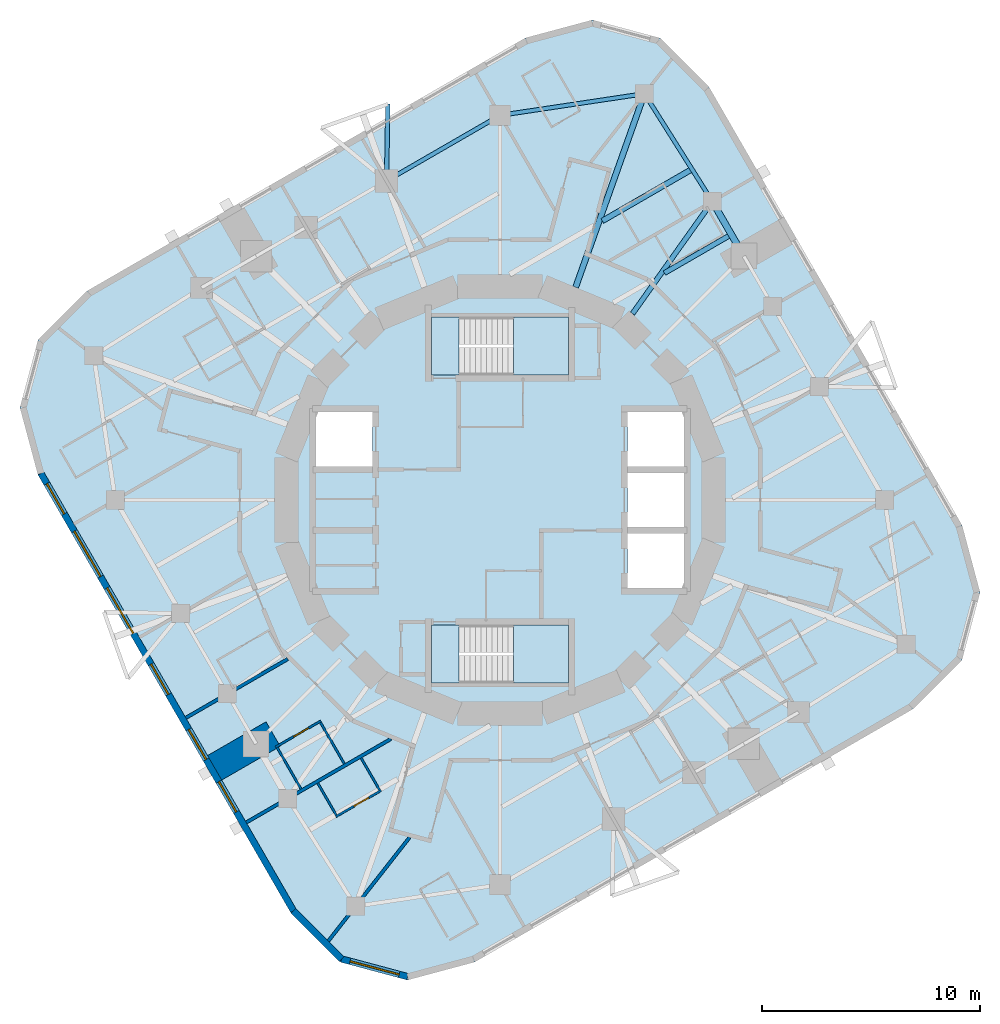
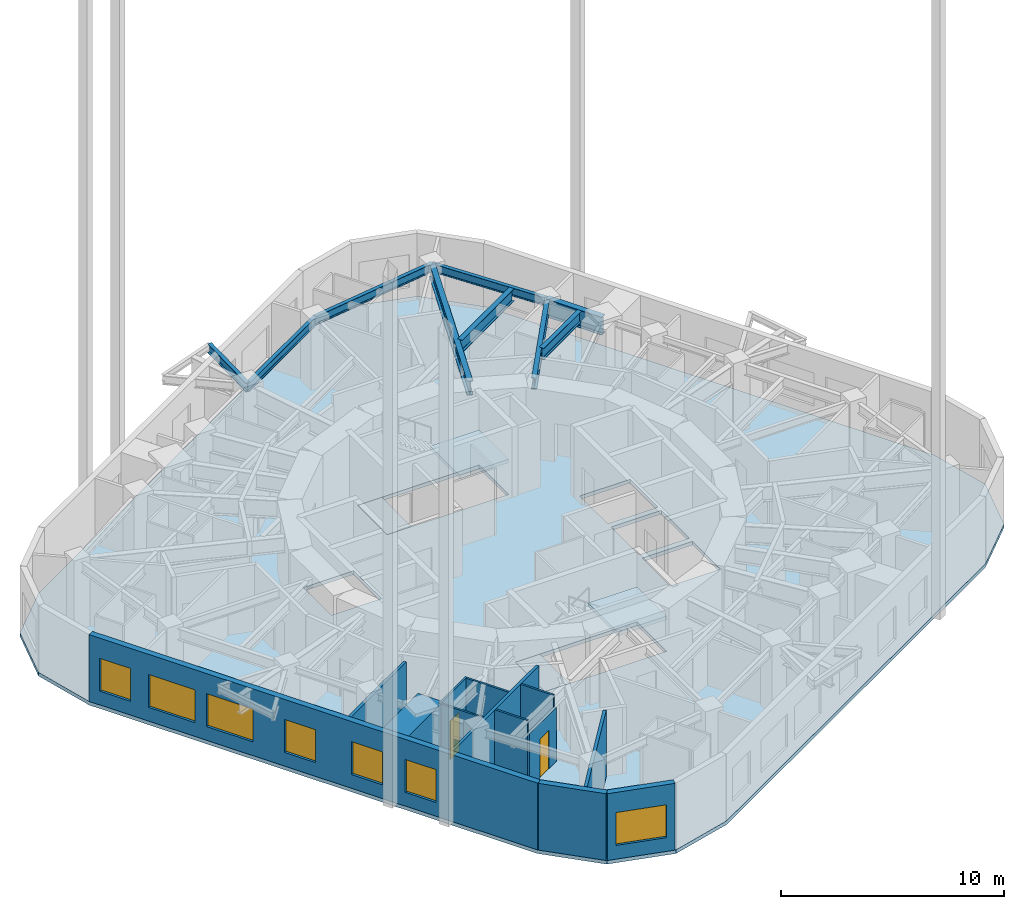
# One storey, part 3 of 10: 13 walls, 9 beams, 7 windows, 5 slabs, 2 doors, 9 openings, 2 elements without a shape of their own.
"""IFC4 building model written with IfcOpenShell, lengths in metres."""

from ifc_helpers import new_model, si_unit, direction, frame, frame_2d, origin, origin_2d, place, context, subcontext, project, spatial, polyline, rectangle, i_section, outline, extrude, material, layer, layer_set, material_profile, profile_set, type_object, element, fill, aggregate, save


model = new_model("IFC4")

# Units and contexts
model_context = context("Model", 3, precision=1e-05, world=origin(), true_north=direction((0.0, 1.0)))
body_context = subcontext(model_context, "Body", "Model", "MODEL_VIEW")
ifc_project = project(units=[si_unit("LENGTHUNIT", "METRE"), si_unit("AREAUNIT", "SQUARE_METRE"), si_unit("VOLUMEUNIT", "CUBIC_METRE"), si_unit("PLANEANGLEUNIT", "RADIAN"), si_unit("MASSUNIT", "GRAM", prefix="KILO")], contexts=[model_context])

# Site, building, storey
site_placement = place(None, origin())
site = spatial("IfcSite", under=ifc_project, at=site_placement, CompositionType="ELEMENT")
building_placement = place(site_placement, origin())
building = spatial("IfcBuilding", under=site, at=building_placement, Name="Nakasero Lantern House", CompositionType="ELEMENT")
storey_placement = place(building_placement, frame((0.0, 0.0, 223.10009765625)))
storey = spatial("IfcBuildingStorey", under=building, at=storey_placement, Name="L54", CompositionType="ELEMENT", Elevation=223.10009765625)

# Beams
ifc_material_1 = material(Name="Steel S355", Category="steel")
ifc_material_profile_1 = material_profile(ifc_material_1, i_section(OverallWidth=0.199462890625, OverallDepth=0.491943359375, WebThickness=0.01806640625, FlangeThickness=0.031982421875, FilletRadius=0.01025390625, at=origin_2d()), Name="UB 457x191x161")
ifc_profile_set_1 = profile_set([ifc_material_profile_1], Name="Steel S355")
beam_type_1 = type_object("IfcBeamType", Name="Balcony splay beam UB 457x191x161", PredefinedType="BEAM", material=ifc_profile_set_1)
beam_1_placement = place(storey_placement, frame((-5.211669921875, 14.657958984375, 3.40380859375), z_axis=(0.016835196893, 0.99985827803, 0.0), x_axis=(-0.99985827803, 0.016835196893, 0.0)))
element("IfcBeam", 1, at=beam_1_placement, inside=storey, type_object=beam_type_1, Name="Balcony splay beam L55 B6-C10B", PredefinedType="BEAM", context=body_context, shape_type="SweptSolid", body=[
    extrude(i_section(OverallWidth=0.199462890625, OverallDepth=0.491943359375, WebThickness=0.01806640625, FlangeThickness=0.031982421875, FilletRadius=0.01025390625, at=origin_2d()), origin(), (0.0, 0.0, 1.0), 3.52392578125),
])
ifc_material_2 = material(Name="Steel S355", Category="steel")
ifc_material_profile_2 = material_profile(ifc_material_2, i_section(OverallWidth=0.22900390625, OverallDepth=0.6123046875, WebThickness=0.011962890625, FlangeThickness=0.01953125, FilletRadius=0.0126953125, at=origin_2d()), Name="UB 610x229x125")
ifc_profile_set_2 = profile_set([ifc_material_profile_2], Name="Steel S355")
beam_type_2 = type_object("IfcBeamType", Name="Infill beam UB 610x229x125", PredefinedType="JOIST", material=ifc_profile_set_2)
beam_2_placement = place(storey_placement, frame((7.552001953125, 10.42236328125, 3.34375), z_axis=(0.866042039906, 0.499971184285, 0.0), x_axis=(-0.499971184285, 0.866042039906, 0.0)))
element("IfcBeam", 2, at=beam_2_placement, inside=storey, type_object=beam_type_2, Name="Infill beam L55 08.3", PredefinedType="JOIST", context=body_context, shape_type="SweptSolid", body=[
    extrude(i_section(OverallWidth=0.22900390625, OverallDepth=0.6123046875, WebThickness=0.011962890625, FlangeThickness=0.01953125, FilletRadius=0.0126953125, at=origin_2d()), origin(), (0.0, 0.0, 1.0), 3.398681640625),
])
ifc_material_3 = material(Name="Steel S355", Category="steel")
ifc_material_profile_3 = material_profile(ifc_material_3, i_section(OverallWidth=0.253662109375, OverallDepth=0.68359375, WebThickness=0.012451171875, FlangeThickness=0.01904296875, FilletRadius=0.01513671875, at=origin_2d()), Name="UB 686x254x140")
ifc_profile_set_3 = profile_set([ifc_material_profile_3], Name="Steel S355")
beam_type_3 = type_object("IfcBeamType", Name="Infill beam UB 686x254x140", PredefinedType="JOIST", material=ifc_profile_set_3)
beam_3_placement = place(storey_placement, frame((4.698486328125, 12.816162109375, 3.30810546875), z_axis=(0.866023347809, 0.500003561037, 0.0), x_axis=(-0.500003561037, 0.866023347809, 0.0)))
element("IfcBeam", 3, at=beam_3_placement, inside=storey, type_object=beam_type_3, Name="Infill beam L55 09.3", PredefinedType="JOIST", context=body_context, shape_type="SweptSolid", body=[
    extrude(i_section(OverallWidth=0.253662109375, OverallDepth=0.68359375, WebThickness=0.012451171875, FlangeThickness=0.01904296875, FilletRadius=0.01513671875, at=origin_2d()), origin(), (0.0, 0.0, 1.0), 4.6611328125),
])
ifc_material_4 = material(Name="Steel S355", Category="steel")
ifc_material_profile_4 = material_profile(ifc_material_4, i_section(OverallWidth=0.22900390625, OverallDepth=0.6123046875, WebThickness=0.011962890625, FlangeThickness=0.01953125, FilletRadius=0.0126953125, at=origin_2d()), Name="UB 610x229x125")
ifc_profile_set_4 = profile_set([ifc_material_profile_4], Name="Steel S355")
beam_type_4 = type_object("IfcBeamType", Name="Primary beam UB 610x229x125, span 6 to 9 m", PredefinedType="BEAM", material=ifc_profile_set_4)
beam_4_placement = place(storey_placement, frame((9.75048828125, 13.711669921875, 3.34375), z_axis=(-0.579504973637, -0.814968702178, 0.0), x_axis=(0.814968702178, -0.579504973637, 0.0)))
element("IfcBeam", 4, at=beam_4_placement, inside=storey, type_object=beam_type_4, Name="Primary beam L55 B6-C07", PredefinedType="BEAM", context=body_context, shape_type="SweptSolid", body=[
    extrude(i_section(OverallWidth=0.22900390625, OverallDepth=0.6123046875, WebThickness=0.011962890625, FlangeThickness=0.01953125, FilletRadius=0.0126953125, at=origin_2d()), origin(), (0.0, 0.0, 1.0), 6.320556640625),
])
ifc_material_5 = material(Name="Steel S355", Category="steel")
ifc_material_profile_5 = material_profile(ifc_material_5, i_section(OverallWidth=0.2666015625, OverallDepth=0.76220703125, WebThickness=0.014404296875, FlangeThickness=0.021484375, FilletRadius=0.0166015625, at=origin_2d()), Name="UB 762x267x173")
ifc_profile_set_5 = profile_set([ifc_material_profile_5], Name="Steel S355")
beam_type_5 = type_object("IfcBeamType", Name="Primary beam UB 762x267x173, span 9 to 12 m", PredefinedType="BEAM", material=ifc_profile_set_5)
beam_5_placement = place(storey_placement, frame((6.63525390625, 18.661376953125, 3.268798828125), z_axis=(-0.335006604588, -0.942215779364, 0.0), x_axis=(0.942215779364, -0.335006604588, 0.0)))
element("IfcBeam", 5, at=beam_5_placement, inside=storey, type_object=beam_type_5, Name="Primary beam L55 B6-C08", PredefinedType="BEAM", context=body_context, shape_type="SweptSolid", body=[
    extrude(i_section(OverallWidth=0.2666015625, OverallDepth=0.76220703125, WebThickness=0.014404296875, FlangeThickness=0.021484375, FilletRadius=0.0166015625, at=origin_2d()), origin(), (0.0, 0.0, 1.0), 9.4345703125),
])
ifc_material_6 = material(Name="Steel S355", Category="steel")
ifc_material_profile_6 = material_profile(ifc_material_6, i_section(OverallWidth=0.300048828125, OverallDepth=0.97998046875, WebThickness=0.0166015625, FlangeThickness=0.02587890625, FilletRadius=0.030029296875, at=origin_2d()), Name="UB 1016x305x249")
ifc_profile_set_6 = profile_set([ifc_material_profile_6], Name="Steel S355")
beam_type_6 = type_object("IfcBeamType", Name="Ring beam UB 1016x305x249", PredefinedType="BEAM", material=ifc_profile_set_6)
beam_6_placement = place(storey_placement, frame((11.200439453125, 11.200439453125, 3.159912109375), z_axis=(-0.500023687443, 0.866011727401, 0.0), x_axis=(-0.866011727401, -0.500023687443, 0.0)))
element("IfcBeam", 6, at=beam_6_placement, inside=storey, type_object=beam_type_6, Name="Ring beam L55 B6-C06", PredefinedType="BEAM", context=body_context, shape_type="SweptSolid", body=[
    extrude(i_section(OverallWidth=0.300048828125, OverallDepth=0.97998046875, WebThickness=0.0166015625, FlangeThickness=0.02587890625, FilletRadius=0.030029296875, at=origin_2d()), origin(), (0.0, 0.0, 1.0), 2.899658203125),
])
ifc_material_7 = material(Name="Steel S355", Category="steel")
ifc_material_profile_7 = material_profile(ifc_material_7, i_section(OverallWidth=0.18994140625, OverallDepth=0.453369140625, WebThickness=0.008544921875, FlangeThickness=0.0126953125, FilletRadius=0.01025390625, at=origin_2d()), Name="UB 457x191x67")
ifc_profile_set_7 = profile_set([ifc_material_profile_7], Name="Steel S355")
beam_type_7 = type_object("IfcBeamType", Name="Ring beam UB 457x191x67", PredefinedType="BEAM", material=ifc_profile_set_7)
beam_7_placement = place(storey_placement, frame((9.75048828125, 13.711669921875, 3.423095703125), z_axis=(-0.532660471024, 0.846329027393, 0.0), x_axis=(-0.846329027393, -0.532660471024, 0.0)))
element("IfcBeam", 7, at=beam_7_placement, inside=storey, type_object=beam_type_7, Name="Ring beam L55 B6-C07", PredefinedType="BEAM", context=body_context, shape_type="SweptSolid", body=[
    extrude(i_section(OverallWidth=0.18994140625, OverallDepth=0.453369140625, WebThickness=0.008544921875, FlangeThickness=0.0126953125, FilletRadius=0.01025390625, at=origin_2d()), origin(), (0.0, 0.0, 1.0), 5.848388671875),
])
beam_8_placement = place(storey_placement, frame((0.0, 17.6669921875, 3.423095703125), z_axis=(-0.866020066889, -0.50000924366, 0.0), x_axis=(0.50000924366, -0.866020066889, 0.0)))
element("IfcBeam", 8, at=beam_8_placement, inside=storey, type_object=beam_type_7, Name="Ring beam L55 B6-C09", PredefinedType="BEAM", context=body_context, shape_type="SweptSolid", body=[
    extrude(i_section(OverallWidth=0.18994140625, OverallDepth=0.453369140625, WebThickness=0.008544921875, FlangeThickness=0.0126953125, FilletRadius=0.01025390625, at=origin_2d()), origin(), (0.0, 0.0, 1.0), 6.01806640625),
])
ifc_material_8 = material(Name="Steel S355", Category="steel")
ifc_material_profile_8 = material_profile(ifc_material_8, i_section(OverallWidth=0.19140625, OverallDepth=0.4599609375, WebThickness=0.010009765625, FlangeThickness=0.01611328125, FilletRadius=0.01025390625, at=origin_2d()), Name="UB 457x191x82")
ifc_profile_set_8 = profile_set([ifc_material_profile_8], Name="Steel S355")
beam_type_8 = type_object("IfcBeamType", Name="Ring beam UB 457x191x82", PredefinedType="BEAM", material=ifc_profile_set_8)
beam_9_placement = place(storey_placement, frame((6.63525390625, 18.661376953125, 3.419921875), z_axis=(-0.988956095107, -0.148208778253, 0.0), x_axis=(0.148208778253, -0.988956095107, 0.0)))
element("IfcBeam", 9, at=beam_9_placement, inside=storey, type_object=beam_type_8, Name="Ring beam L55 B6-C08", PredefinedType="BEAM", context=body_context, shape_type="SweptSolid", body=[
    extrude(i_section(OverallWidth=0.19140625, OverallDepth=0.4599609375, WebThickness=0.010009765625, FlangeThickness=0.01611328125, FilletRadius=0.01025390625, at=origin_2d()), origin(), (0.0, 0.0, 1.0), 6.70947265625),
])

# Slab
ifc_material_9 = material(Name="Concrete C35/45", Category="concrete")
ifc_layer_1 = layer(ifc_material_9, 0.199951171875)
ifc_layer_set_1 = layer_set([ifc_layer_1], Name="Composite floor slab 200")
slab_type_1 = type_object("IfcSlabType", Name="Composite floor slab 200", PredefinedType="FLOOR", material=ifc_layer_set_1)
slab_1_placement = place(storey_placement, frame((0.0, 0.0, -0.2001953125)))
element("IfcSlab", 10, at=slab_1_placement, inside=storey, type_object=slab_type_1, Name="Floor slab L54", PredefinedType="FLOOR", context=body_context, shape_type="SweptSolid", body=[
    extrude(outline(polyline([(9.615234375, 18.94580078125), (7.345947265625, 21.21533203125), (4.245849609375, 22.0458984375), (1.14599609375, 21.21533203125), (-18.94580078125, 9.615234375), (-21.21533203125, 7.345947265625), (-22.0458984375, 4.245849609375), (-21.21533203125, 1.14599609375), (-9.615234375, -18.94580078125), (-7.345947265625, -21.21533203125), (-4.245849609375, -22.0458984375), (-1.14599609375, -21.21533203125), (18.94580078125, -9.615234375), (21.21533203125, -7.345947265625), (22.0458984375, -4.245849609375), (21.21533203125, -1.14599609375), (9.615234375, 18.94580078125)]), holes=[polyline([(-8.449951171875, 1.550048828125), (-5.85009765625, 1.550048828125), (-5.85009765625, 4.050048828125), (-8.449951171875, 4.050048828125), (-8.449951171875, 1.550048828125)]), polyline([(5.85009765625, -4.050048828125), (8.449951171875, -4.050048828125), (8.449951171875, -1.550048828125), (5.85009765625, -1.550048828125), (5.85009765625, -4.050048828125)]), polyline([(5.85009765625, -1.25), (8.449951171875, -1.25), (8.449951171875, 1.25), (5.85009765625, 1.25), (5.85009765625, -1.25)]), polyline([(5.85009765625, 1.550048828125), (8.449951171875, 1.550048828125), (8.449951171875, 4.050048828125), (5.85009765625, 4.050048828125), (5.85009765625, 1.550048828125)]), polyline([(-3.14990234375, 5.75), (3.14990234375, 5.75), (3.14990234375, 8.39990234375), (-3.14990234375, 8.39990234375), (-3.14990234375, 5.75)]), polyline([(-3.14990234375, -8.39990234375), (3.14990234375, -8.39990234375), (3.14990234375, -5.75), (-3.14990234375, -5.75), (-3.14990234375, -8.39990234375)])]), origin(), (0.0, 0.0, 1.0), 0.2001953125),
])

# Stair, slabs
ifc_material_10 = material(Name="Concrete C40/50", Category="concrete")
stair_type_1 = type_object("IfcStairType", Name="Escape stair ST1 22 risers", PredefinedType="HALF_TURN_STAIR", material=ifc_material_10)
stair_1_placement = place(storey_placement, origin())
stair_1 = element("IfcStair", 11, at=stair_1_placement, inside=storey, type_object=stair_type_1, Name="Escape stair ST1 L54", PredefinedType="HALF_TURN_STAIR")
ifc_material_11 = material(Name="Concrete C40/50", Category="concrete")
ifc_layer_2 = layer(ifc_material_11, 0.199951171875)
ifc_layer_set_2 = layer_set([ifc_layer_2], Name="Stair landing 200")
slab_type_2 = type_object("IfcSlabType", Name="Stair landing 200", PredefinedType="LANDING", material=ifc_layer_set_2)
slab_2_placement = place(storey_placement, frame((0.0, 0.0, -0.2001953125)))
slab_2 = element("IfcSlab", 12, at=slab_2_placement, type_object=slab_type_2, Name="ST1 landing 1", PredefinedType="LANDING", context=body_context, shape_type="SweptSolid", body=[
    extrude(outline(polyline([(-3.14990234375, 5.75), (-1.875, 5.75), (-1.875, 8.39990234375), (-3.14990234375, 8.39990234375), (-3.14990234375, 5.75)])), origin(), (0.0, 0.0, 1.0), 0.2001953125),
])
slab_3_placement = place(storey_placement, frame((0.0, 0.0, 1.724853515625)))
slab_3 = element("IfcSlab", 13, at=slab_3_placement, type_object=slab_type_2, Name="ST1 landing 2", PredefinedType="LANDING", context=body_context, shape_type="SweptSolid", body=[
    extrude(outline(polyline([(0.625, 5.75), (3.14990234375, 5.75), (3.14990234375, 8.39990234375), (0.625, 8.39990234375), (0.625, 5.75)])), origin(), (0.0, 0.0, 1.0), 0.199951171875),
])
aggregate(stair_1, [slab_2, slab_3])

ifc_material_12 = material(Name="Concrete C40/50", Category="concrete")
stair_type_2 = type_object("IfcStairType", Name="Escape stair ST2 22 risers", PredefinedType="HALF_TURN_STAIR", material=ifc_material_12)
stair_2_placement = place(storey_placement, origin())
stair_2 = element("IfcStair", 14, at=stair_2_placement, inside=storey, type_object=stair_type_2, Name="Escape stair ST2 L54", PredefinedType="HALF_TURN_STAIR")
slab_4_placement = place(storey_placement, frame((0.0, 0.0, -0.2001953125)))
slab_4 = element("IfcSlab", 15, at=slab_4_placement, type_object=slab_type_2, Name="ST2 landing 1", PredefinedType="LANDING", context=body_context, shape_type="SweptSolid", body=[
    extrude(outline(polyline([(-3.14990234375, -8.39990234375), (-1.875, -8.39990234375), (-1.875, -5.75), (-3.14990234375, -5.75), (-3.14990234375, -8.39990234375)])), origin(), (0.0, 0.0, 1.0), 0.2001953125),
])
slab_5_placement = place(storey_placement, frame((0.0, 0.0, 1.724853515625)))
slab_5 = element("IfcSlab", 16, at=slab_5_placement, type_object=slab_type_2, Name="ST2 landing 2", PredefinedType="LANDING", context=body_context, shape_type="SweptSolid", body=[
    extrude(outline(polyline([(0.625, -8.39990234375), (3.14990234375, -8.39990234375), (3.14990234375, -5.75), (0.625, -5.75), (0.625, -8.39990234375)])), origin(), (0.0, 0.0, 1.0), 0.199951171875),
])
aggregate(stair_2, [slab_4, slab_5])

# Wall
ifc_material_13 = material(Name="Blockwork", Category="masonry")
ifc_layer_3 = layer(ifc_material_13, 1.300048828125)
ifc_layer_set_3 = layer_set([ifc_layer_3], Name="Column pier 1300")
wall_type_1 = type_object("IfcWallType", Name="Column pier 1300", PredefinedType="PARTITIONING", material=ifc_layer_set_3)
wall_1_placement = place(storey_placement, frame((-10.4208984375, -10.75048828125, 0.0), z_axis=(0.0, 0.0, 1.0), x_axis=(-0.866063626216, -0.499933790963, 0.0)))
element("IfcWall", 17, at=wall_1_placement, inside=storey, type_object=wall_type_1, Name="Column pier L54 PN2-05", PredefinedType="PARTITIONING", context=body_context, shape_type="SweptSolid", body=[
    extrude(rectangle(XDim=3.10009765625, YDim=1.300048828125, at=frame_2d((1.550048828125, 0.0))), origin(), (0.0, 0.0, 1.0), 3.64990234375),
])

# Wall, opening, door
ifc_material_14 = material(Name="Blockwork", Category="masonry")
ifc_layer_4 = layer(ifc_material_14, 0.10009765625)
ifc_layer_set_4 = layer_set([ifc_layer_4], Name="En-suite wall 100")
wall_type_2 = type_object("IfcWallType", Name="En-suite wall 100", PredefinedType="PARTITIONING", material=ifc_layer_set_4)
wall_2_placement = place(storey_placement, frame((-8.228271484375, -10.148193359375, 0.0), z_axis=(0.0, 0.0, 1.0), x_axis=(-0.866050077142, -0.499957262057, 0.0)))
wall_2 = element("IfcWall", 18, at=wall_2_placement, inside=storey, type_object=wall_type_2, Name="En-suite wall L54 ES2-04", PredefinedType="PARTITIONING", context=body_context, shape_type="SweptSolid", body=[
    extrude(rectangle(XDim=2.400146484375, YDim=0.10009765625, at=frame_2d((1.2001953125, 0.0))), origin(), (0.0, 0.0, 1.0), 3.64990234375),
])
opening_1_placement = place(wall_2_placement, frame((0.64990234375, 0.0, 0.0)))
opening_1 = element("IfcOpeningElement", 19, at=opening_1_placement, cuts=wall_2, Name="Opening D02", PredefinedType="OPENING", context=body_context, shape_type="SweptSolid", body=[
    extrude(rectangle(XDim=0.800048828125, YDim=2.10009765625, at=frame_2d((0.39990234375, 1.050048828125))), frame((0.0, 0.070068359375, 0.0), z_axis=(0.0, -1.0, 0.0), x_axis=(1.0, 0.0, 0.0)), (0.0, 0.0, 1.0), 0.14013671875),
])
ifc_material_15 = material(Name="Timber C24", Category="wood")
door_type = type_object("IfcDoorType", Name="En-suite door 800", OperationType="SINGLE_SWING_RIGHT", PredefinedType="DOOR", material=ifc_material_15)
door_1_placement = place(opening_1_placement, origin())
door_1 = element("IfcDoor", 20, at=door_1_placement, inside=storey, type_object=door_type, Name="Door L54 DE2-04", OperationType="SINGLE_SWING_LEFT", OverallHeight=2.10009765625, OverallWidth=0.800048828125, PredefinedType="DOOR", context=body_context, shape_type="SweptSolid", body=[
    extrude(rectangle(XDim=0.800048828125, YDim=2.10009765625, at=frame_2d((0.39990234375, 1.050048828125))), frame((0.0, 0.02490234375, 0.0), z_axis=(0.0, -1.0, 0.0), x_axis=(1.0, 0.0, 0.0)), (0.0, 0.0, 1.0), 0.050048828125),
])
fill(opening_1, door_1)

# Walls
wall_3_placement = place(storey_placement, frame((-10.238525390625, -11.366455078125, 0.0), z_axis=(0.0, 0.0, 1.0), x_axis=(0.50002983664, -0.866008176907, 0.0)))
element("IfcWall", 21, at=wall_3_placement, inside=storey, type_object=wall_type_2, Name="En-suite wall L54 EE2-04", PredefinedType="PARTITIONING", context=body_context, shape_type="SweptSolid", body=[
    extrude(rectangle(XDim=2.199951171875, YDim=0.10009765625, at=frame_2d((1.10009765625, 0.0))), origin(), (0.0, 0.0, 1.0), 3.64990234375),
])
wall_4_placement = place(storey_placement, frame((-8.24658203125, -10.216552734375, 0.0), z_axis=(0.0, 0.0, 1.0), x_axis=(0.499994660107, -0.866028486751, 0.0)))
element("IfcWall", 22, at=wall_4_placement, inside=storey, type_object=wall_type_2, Name="En-suite wall L54 EI2-04", PredefinedType="PARTITIONING", context=body_context, shape_type="SweptSolid", body=[
    extrude(rectangle(XDim=2.19970703125, YDim=0.10009765625, at=frame_2d((1.099853515625, 0.0))), origin(), (0.0, 0.0, 1.0), 3.64990234375),
])

# Wall, opening, door
wall_5_placement = place(storey_placement, frame((-5.46044921875, -13.342041015625, 0.0), z_axis=(0.0, 0.0, 1.0), x_axis=(-0.866006032174, -0.500033551112, 0.0)))
wall_5 = element("IfcWall", 23, at=wall_5_placement, inside=storey, type_object=wall_type_2, Name="En-suite wall L54 ES2-06", PredefinedType="PARTITIONING", context=body_context, shape_type="SweptSolid", body=[
    extrude(rectangle(XDim=2.400146484375, YDim=0.10009765625, at=frame_2d((1.2001953125, 0.0))), origin(), (0.0, 0.0, 1.0), 2.96630859375),
])
opening_2_placement = place(wall_5_placement, frame((0.64990234375, 0.0, 0.0)))
opening_2 = element("IfcOpeningElement", 24, at=opening_2_placement, cuts=wall_5, Name="Opening D02", PredefinedType="OPENING", context=body_context, shape_type="SweptSolid", body=[
    extrude(rectangle(XDim=0.800048828125, YDim=2.10009765625, at=frame_2d((0.39990234375, 1.050048828125))), frame((0.0, 0.070068359375, 0.0), z_axis=(0.0, -1.0, 0.0), x_axis=(1.0, 0.0, 0.0)), (0.0, 0.0, 1.0), 0.14013671875),
])
door_2_placement = place(opening_2_placement, origin())
door_2 = element("IfcDoor", 25, at=door_2_placement, inside=storey, type_object=door_type, Name="Door L54 DE2-06", OperationType="SINGLE_SWING_LEFT", OverallHeight=2.10009765625, OverallWidth=0.800048828125, PredefinedType="DOOR", context=body_context, shape_type="SweptSolid", body=[
    extrude(rectangle(XDim=0.800048828125, YDim=2.10009765625, at=frame_2d((0.39990234375, 1.050048828125))), frame((0.0, 0.02490234375, 0.0), z_axis=(0.0, -1.0, 0.0), x_axis=(1.0, 0.0, 0.0)), (0.0, 0.0, 1.0), 0.050048828125),
])
fill(opening_2, door_2)

# Walls
for number, where, z_axis, x_axis, name in (
    (26, (-8.37060546875, -13.001708984375, 0.0), (0.0, 0.0, 1.0), (0.499954529098, -0.86605165483, 0.0), "En-suite wall L54 EE2-06"),
    (27, (-6.37890625, -11.8515625, 0.0), (0.0, 0.0, 1.0), (0.500062241894, -0.865989465428, 0.0), "En-suite wall L54 EI2-06"),
):
    element("IfcWall", number, at=place(storey_placement, frame(where, z_axis=z_axis, x_axis=x_axis)), inside=storey, type_object=wall_type_2, Name=name, PredefinedType="PARTITIONING", context=body_context, shape_type="SweptSolid", body=[
        extrude(rectangle(XDim=1.699951171875, YDim=0.10009765625, at=frame_2d((0.85009765625, 0.0))), origin(), (0.0, 0.0, 1.0), 3.64990234375),
    ])

# Wall, openings, windows
ifc_material_16 = material(Name="Aluminium rainscreen on blockwork", Category="masonry")
ifc_layer_5 = layer(ifc_material_16, 0.300048828125)
ifc_layer_set_5 = layer_set([ifc_layer_5], Name="Facade wall 300")
wall_type_3 = type_object("IfcWallType", Name="Facade wall 300", PredefinedType="SOLIDWALL", material=ifc_layer_set_5)
wall_6_placement = place(storey_placement, frame((-21.08544921875, 1.220947265625, 0.0), z_axis=(0.0, 0.0, 1.0), x_axis=(0.500003016864, -0.86602366199, 0.0)))
wall_6 = element("IfcWall", 28, at=wall_6_placement, inside=storey, type_object=wall_type_3, Name="Facade wall L54 FW2S", PredefinedType="SOLIDWALL", context=body_context, shape_type="SweptSolid", body=[
    extrude(rectangle(XDim=23.199951171875, YDim=0.300048828125, at=frame_2d((11.60009765625, 0.0))), origin(), (0.0, 0.0, 1.0), 3.64990234375),
])
opening_3_placement = place(wall_6_placement, frame((0.5458984375, 0.0, 0.75)))
opening_3 = element("IfcOpeningElement", 29, at=opening_3_placement, cuts=wall_6, Name="Opening W01", PredefinedType="OPENING", context=body_context, shape_type="SweptSolid", body=[
    extrude(rectangle(XDim=1.60009765625, YDim=1.800048828125, at=frame_2d((0.800048828125, 0.89990234375))), frame((0.0, 0.169921875, 0.0), z_axis=(0.0, -1.0, 0.0), x_axis=(1.0, 0.0, 0.0)), (0.0, 0.0, 1.0), 0.340087890625),
])
opening_4_placement = place(wall_6_placement, frame((10.11767578125, 0.0, 0.75)))
opening_4 = element("IfcOpeningElement", 30, at=opening_4_placement, cuts=wall_6, Name="Opening W01", PredefinedType="OPENING", context=body_context, shape_type="SweptSolid", body=[
    extrude(rectangle(XDim=1.60009765625, YDim=1.800048828125, at=frame_2d((0.800048828125, 0.89990234375))), frame((0.0, 0.169921875, 0.0), z_axis=(0.0, -1.0, 0.0), x_axis=(1.0, 0.0, 0.0)), (0.0, 0.0, 1.0), 0.340087890625),
])
opening_5_placement = place(wall_6_placement, frame((13.5751953125, 0.0, 0.75)))
opening_5 = element("IfcOpeningElement", 31, at=opening_5_placement, cuts=wall_6, Name="Opening W01", PredefinedType="OPENING", context=body_context, shape_type="SweptSolid", body=[
    extrude(rectangle(XDim=1.60009765625, YDim=1.800048828125, at=frame_2d((0.800048828125, 0.89990234375))), frame((0.0, 0.169921875, 0.0), z_axis=(0.0, -1.0, 0.0), x_axis=(1.0, 0.0, 0.0)), (0.0, 0.0, 1.0), 0.340087890625),
])
opening_6_placement = place(wall_6_placement, frame((16.349609375, 0.0, 0.75)))
opening_6 = element("IfcOpeningElement", 32, at=opening_6_placement, cuts=wall_6, Name="Opening W01", PredefinedType="OPENING", context=body_context, shape_type="SweptSolid", body=[
    extrude(rectangle(XDim=1.60009765625, YDim=1.800048828125, at=frame_2d((0.800048828125, 0.89990234375))), frame((0.0, 0.169921875, 0.0), z_axis=(0.0, -1.0, 0.0), x_axis=(1.0, 0.0, 0.0)), (0.0, 0.0, 1.0), 0.340087890625),
])
opening_7_placement = place(wall_6_placement, frame((3.071044921875, 0.0, 0.75)))
opening_7 = element("IfcOpeningElement", 33, at=opening_7_placement, cuts=wall_6, Name="Opening W03", PredefinedType="OPENING", context=body_context, shape_type="SweptSolid", body=[
    extrude(rectangle(XDim=2.39990234375, YDim=1.800048828125, at=frame_2d((1.199951171875, 0.89990234375))), frame((0.0, 0.169921875, 0.0), z_axis=(0.0, -1.0, 0.0), x_axis=(1.0, 0.0, 0.0)), (0.0, 0.0, 1.0), 0.340087890625),
])
opening_8_placement = place(wall_6_placement, frame((6.080078125, 0.0, 0.75)))
opening_8 = element("IfcOpeningElement", 34, at=opening_8_placement, cuts=wall_6, Name="Opening W03", PredefinedType="OPENING", context=body_context, shape_type="SweptSolid", body=[
    extrude(rectangle(XDim=2.39990234375, YDim=1.800048828125, at=frame_2d((1.199951171875, 0.89990234375))), frame((0.0, 0.169921875, 0.0), z_axis=(0.0, -1.0, 0.0), x_axis=(1.0, 0.0, 0.0)), (0.0, 0.0, 1.0), 0.340087890625),
])
ifc_material_17 = material(Name="Aluminium 6063-T6 and glass", Category="aluminium")
window_type_1 = type_object("IfcWindowType", Name="Bedroom window 1600x1800", PartitioningType="SINGLE_PANEL", PredefinedType="WINDOW", material=ifc_material_17)
window_1_placement = place(opening_3_placement, origin())
window_1 = element("IfcWindow", 35, at=window_1_placement, inside=storey, type_object=window_type_1, Name="Window L54 WN2-00", OverallHeight=1.800048828125, OverallWidth=1.60009765625, PartitioningType="SINGLE_PANEL", PredefinedType="WINDOW", context=body_context, shape_type="SweptSolid", body=[
    extrude(rectangle(XDim=1.60009765625, YDim=1.800048828125, at=frame_2d((0.800048828125, 0.89990234375))), frame((0.0, 0.030029296875, 0.0), z_axis=(0.0, -1.0, 0.0), x_axis=(1.0, 0.0, 0.0)), (0.0, 0.0, 1.0), 0.06005859375),
])
fill(opening_3, window_1)
window_2_placement = place(opening_4_placement, origin())
window_2 = element("IfcWindow", 36, at=window_2_placement, inside=storey, type_object=window_type_1, Name="Window L54 WN2-03", OverallHeight=1.800048828125, OverallWidth=1.60009765625, PartitioningType="SINGLE_PANEL", PredefinedType="WINDOW", context=body_context, shape_type="SweptSolid", body=[
    extrude(rectangle(XDim=1.60009765625, YDim=1.800048828125, at=frame_2d((0.800048828125, 0.89990234375))), frame((0.0, 0.030029296875, 0.0), z_axis=(0.0, -1.0, 0.0), x_axis=(1.0, 0.0, 0.0)), (0.0, 0.0, 1.0), 0.06005859375),
])
fill(opening_4, window_2)
window_3_placement = place(opening_5_placement, origin())
window_3 = element("IfcWindow", 37, at=window_3_placement, inside=storey, type_object=window_type_1, Name="Window L54 WN2-04", OverallHeight=1.800048828125, OverallWidth=1.60009765625, PartitioningType="SINGLE_PANEL", PredefinedType="WINDOW", context=body_context, shape_type="SweptSolid", body=[
    extrude(rectangle(XDim=1.60009765625, YDim=1.800048828125, at=frame_2d((0.800048828125, 0.89990234375))), frame((0.0, 0.030029296875, 0.0), z_axis=(0.0, -1.0, 0.0), x_axis=(1.0, 0.0, 0.0)), (0.0, 0.0, 1.0), 0.06005859375),
])
fill(opening_5, window_3)
window_4_placement = place(opening_6_placement, origin())
window_4 = element("IfcWindow", 38, at=window_4_placement, inside=storey, type_object=window_type_1, Name="Window L54 WN2-05", OverallHeight=1.800048828125, OverallWidth=1.60009765625, PartitioningType="SINGLE_PANEL", PredefinedType="WINDOW", context=body_context, shape_type="SweptSolid", body=[
    extrude(rectangle(XDim=1.60009765625, YDim=1.800048828125, at=frame_2d((0.800048828125, 0.89990234375))), frame((0.0, 0.030029296875, 0.0), z_axis=(0.0, -1.0, 0.0), x_axis=(1.0, 0.0, 0.0)), (0.0, 0.0, 1.0), 0.06005859375),
])
fill(opening_6, window_4)
ifc_material_18 = material(Name="Aluminium 6063-T6 and glass", Category="aluminium")
window_type_2 = type_object("IfcWindowType", Name="Lounge window 2400x1800", PartitioningType="SINGLE_PANEL", PredefinedType="WINDOW", material=ifc_material_18)
window_5_placement = place(opening_7_placement, origin())
window_5 = element("IfcWindow", 39, at=window_5_placement, inside=storey, type_object=window_type_2, Name="Window L54 WK2", OverallHeight=1.800048828125, OverallWidth=2.39990234375, PartitioningType="SINGLE_PANEL", PredefinedType="WINDOW", context=body_context, shape_type="SweptSolid", body=[
    extrude(rectangle(XDim=2.39990234375, YDim=1.800048828125, at=frame_2d((1.199951171875, 0.89990234375))), frame((0.0, 0.030029296875, 0.0), z_axis=(0.0, -1.0, 0.0), x_axis=(1.0, 0.0, 0.0)), (0.0, 0.0, 1.0), 0.06005859375),
])
fill(opening_7, window_5)
window_6_placement = place(opening_8_placement, origin())
window_6 = element("IfcWindow", 40, at=window_6_placement, inside=storey, type_object=window_type_2, Name="Window L54 WL2", OverallHeight=1.800048828125, OverallWidth=2.39990234375, PartitioningType="SINGLE_PANEL", PredefinedType="WINDOW", context=body_context, shape_type="SweptSolid", body=[
    extrude(rectangle(XDim=2.39990234375, YDim=1.800048828125, at=frame_2d((1.199951171875, 0.89990234375))), frame((0.0, 0.030029296875, 0.0), z_axis=(0.0, -1.0, 0.0), x_axis=(1.0, 0.0, 0.0)), (0.0, 0.0, 1.0), 0.06005859375),
])
fill(opening_8, window_6)

# Wall
wall_7_placement = place(storey_placement, frame((-9.4853515625, -18.870849609375, 0.0), z_axis=(0.0, 0.0, 1.0), x_axis=(0.707067801733, -0.707145758492, 0.0)))
element("IfcWall", 41, at=wall_7_placement, inside=storey, type_object=wall_type_3, Name="Facade wall L54 FW2C1", PredefinedType="SOLIDWALL", context=body_context, shape_type="SweptSolid", body=[
    extrude(rectangle(XDim=3.1318359375, YDim=0.300048828125, at=frame_2d((1.56591796875, 0.0))), origin(), (0.0, 0.0, 1.0), 3.64990234375),
])

# Wall, opening, window
wall_8_placement = place(storey_placement, frame((-7.27099609375, -21.08544921875, 0.0), z_axis=(0.0, 0.0, 1.0), x_axis=(0.965928914048, -0.258807521156, 0.0)))
wall_8 = element("IfcWall", 42, at=wall_8_placement, inside=storey, type_object=wall_type_3, Name="Facade wall L54 FW2C2", PredefinedType="SOLIDWALL", context=body_context, shape_type="SweptSolid", body=[
    extrude(rectangle(XDim=3.1318359375, YDim=0.300048828125, at=frame_2d((1.56591796875, 0.0))), origin(), (0.0, 0.0, 1.0), 3.64990234375),
])
opening_9_placement = place(wall_8_placement, frame((0.39990234375, 0.0, 0.75)))
opening_9 = element("IfcOpeningElement", 43, at=opening_9_placement, cuts=wall_8, Name="Opening W223", PredefinedType="OPENING", context=body_context, shape_type="SweptSolid", body=[
    extrude(rectangle(XDim=2.33203125, YDim=1.800048828125, at=frame_2d((1.166015625, 0.89990234375))), frame((0.0, 0.169921875, 0.0), z_axis=(0.0, -1.0, 0.0), x_axis=(1.0, 0.0, 0.0)), (0.0, 0.0, 1.0), 0.340087890625),
])
ifc_material_19 = material(Name="Aluminium 6063-T6 and glass", Category="aluminium")
window_type_3 = type_object("IfcWindowType", Name="Corner window 2332x1800", PartitioningType="SINGLE_PANEL", PredefinedType="WINDOW", material=ifc_material_19)
window_7_placement = place(opening_9_placement, origin())
window_7 = element("IfcWindow", 44, at=window_7_placement, inside=storey, type_object=window_type_3, Name="Window L54 WC2", OverallHeight=1.800048828125, OverallWidth=2.33203125, PartitioningType="SINGLE_PANEL", PredefinedType="WINDOW", context=body_context, shape_type="SweptSolid", body=[
    extrude(rectangle(XDim=2.33203125, YDim=1.800048828125, at=frame_2d((1.166015625, 0.89990234375))), frame((0.0, 0.030029296875, 0.0), z_axis=(0.0, -1.0, 0.0), x_axis=(1.0, 0.0, 0.0)), (0.0, 0.0, 1.0), 0.06005859375),
])
fill(opening_9, window_7)

# Walls
ifc_material_20 = material(Name="Blockwork", Category="masonry")
ifc_layer_6 = layer(ifc_material_20, 0.14990234375)
ifc_layer_set_6 = layer_set([ifc_layer_6], Name="Party wall 150")
wall_type_4 = type_object("IfcWallType", Name="Party wall 150", PredefinedType="PARTITIONING", material=ifc_layer_set_6)
wall_9_placement = place(storey_placement, frame((-9.748779296875, -7.3037109375, 0.0), z_axis=(0.0, 0.0, 1.0), x_axis=(-0.86600807666, -0.500030010259, 0.0)))
element("IfcWall", 45, at=wall_9_placement, inside=storey, type_object=wall_type_4, Name="Party wall L54 PW2-04", PredefinedType="PARTITIONING", context=body_context, shape_type="SweptSolid", body=[
    extrude(rectangle(XDim=5.405517578125, YDim=0.14990234375, at=frame_2d((2.70263671875, 0.0))), origin(), (0.0, 0.0, 1.0), 3.294921875),
])
wall_10_placement = place(storey_placement, frame((-5.011474609375, -10.9755859375, 0.0), z_axis=(0.0, 0.0, 1.0), x_axis=(-0.866033500054, -0.499985976588, 0.0)))
element("IfcWall", 46, at=wall_10_placement, inside=storey, type_object=wall_type_4, Name="Party wall L54 PW2-06", PredefinedType="PARTITIONING", context=body_context, shape_type="SweptSolid", body=[
    extrude(rectangle(XDim=7.672119140625, YDim=0.14990234375, at=frame_2d((3.8359375, 0.0))), origin(), (0.0, 0.0, 1.0), 3.64990234375),
])
wall_11_placement = place(storey_placement, frame((-4.15234375, -15.4970703125, 0.0), z_axis=(0.0, 0.0, 1.0), x_axis=(-0.617304168215, -0.786724579446, 0.0)))
element("IfcWall", 47, at=wall_11_placement, inside=storey, type_object=wall_type_4, Name="Party wall L54 PW3-00", PredefinedType="PARTITIONING", context=body_context, shape_type="SweptSolid", body=[
    extrude(rectangle(XDim=6.045166015625, YDim=0.14990234375, at=frame_2d((3.0224609375, 0.0))), origin(), (0.0, 0.0, 1.0), 3.64990234375),
])

save(model, "model.ifc")
